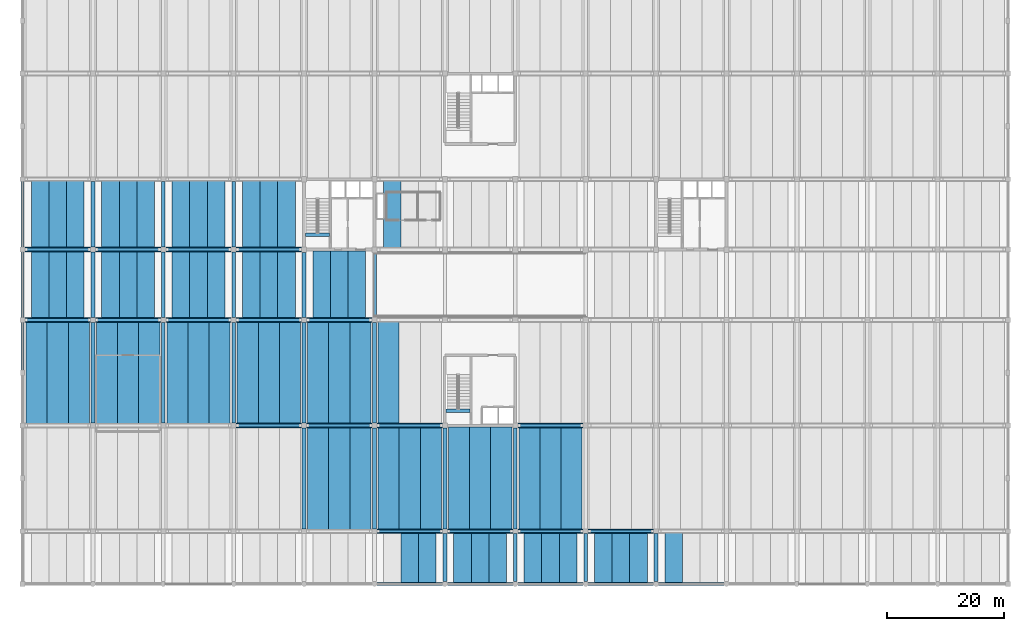
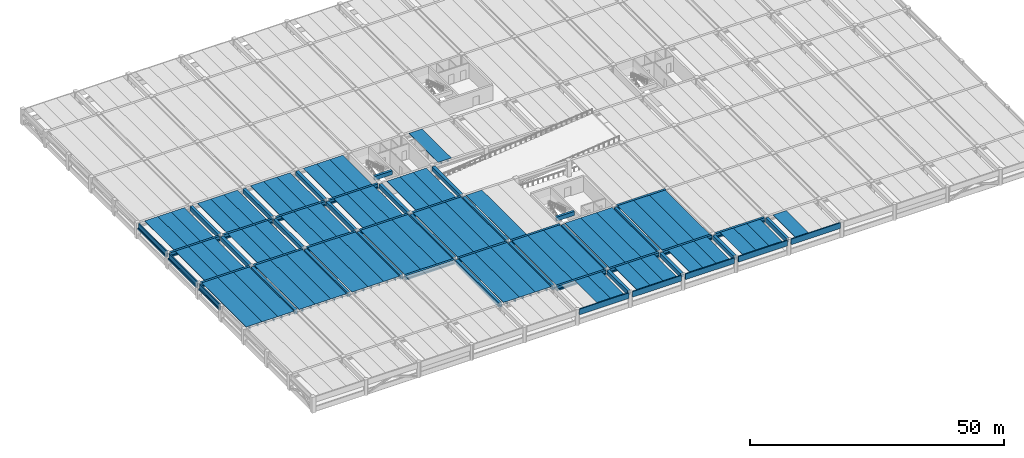
# One storey, part 2 of 19: 116 beams.
"""IFC4 building model written with IfcOpenShell, lengths in metres."""

import ifcopenshell
import ifcopenshell.guid

model = None  # the IFC model being written
_history = None  # IfcOwnerHistory: only IFC2X3 demands one
_inside = {}  # id of a spatial element -> (the spatial element, [elements in it])
_under = {}  # id of a project, library or spatial element -> (it, [spatial elements below it])
_declared = {}  # id of a project -> (the project, [libraries it declares])
_typed = {}  # id of a type object -> (the type object, [elements of that type])
_made_of = {}  # id of a material, layer set ... -> (it, [elements and type objects made of it])


def new_model(schema):
    """Start an empty IFC model of exactly this schema.

    Asked for "IFC4X3", IfcOpenShell would pick the latest addendum, in which some entities
    have other attributes; the version numbers below select the first issue.
    IFC2X3 requires an IfcOwnerHistory on every rooted entity: one is made here for all.
    """
    global model, _history
    if schema == "IFC4X3":
        model = ifcopenshell.file(schema_version=(4, 3, 0, 0))
    else:
        model = ifcopenshell.file(schema=schema)
    _inside.clear()
    _under.clear()
    _declared.clear()
    _typed.clear()
    _made_of.clear()
    _history = None
    if model.schema == "IFC2X3":
        org = make("IfcOrganization", Name="unknown")
        user = make(
            "IfcPersonAndOrganization",
            ThePerson=make("IfcPerson", FamilyName="unknown"),
            TheOrganization=org,
        )
        app = make(
            "IfcApplication",
            ApplicationDeveloper=org,
            Version="unknown",
            ApplicationFullName="unknown",
            ApplicationIdentifier="unknown",
        )
        _history = make(
            "IfcOwnerHistory",
            OwningUser=user,
            OwningApplication=app,
            ChangeAction="ADDED",
            CreationDate=0,
        )
    return model


def make(cls, **values):
    """One entity of the class cls with the attributes given. An attribute that is None is left unset."""
    return model.create_entity(
        cls, **{name: value for name, value in values.items() if value is not None}
    )


def rooted(cls, **values):
    """An entity with a GlobalId (a new one), such as an element, a storey or a relation."""
    return make(cls, GlobalId=ifcopenshell.guid.new(), OwnerHistory=_history, **values)


def si_unit(unit_type, name, prefix=None):
    """IfcSIUnit, for example si_unit("LENGTHUNIT", "METRE", prefix="MILLI")."""
    return make("IfcSIUnit", UnitType=unit_type, Prefix=prefix, Name=name)


def assignment(units):
    """IfcUnitAssignment: the units of a project."""
    return None if units is None else make("IfcUnitAssignment", Units=units)


def point(xyz):
    """IfcCartesianPoint."""
    return None if xyz is None else make("IfcCartesianPoint", Coordinates=xyz)


def direction(xyz):
    """IfcDirection."""
    return None if xyz is None else make("IfcDirection", DirectionRatios=xyz)


def frame(location, z_axis=None, x_axis=None):
    """IfcAxis2Placement3D, a coordinate frame: its origin and axes. An axis left out is left unset."""
    return make(
        "IfcAxis2Placement3D",
        Location=point(location),
        Axis=direction(z_axis),
        RefDirection=direction(x_axis),
    )


def frame_2d(location, x_axis=None):
    """IfcAxis2Placement2D, a coordinate frame in the plane: its origin and x axis."""
    return make(
        "IfcAxis2Placement2D", Location=point(location), RefDirection=direction(x_axis)
    )


def origin():
    """The frame at (0, 0, 0) with its axes left unset."""
    return frame((0.0, 0.0, 0.0))


def origin_2d():
    """The frame at (0, 0) in the plane with its x axis left unset."""
    return frame_2d((0.0, 0.0))


def place(relative_to, where):
    """IfcLocalPlacement: puts the frame where relative to a parent placement (None: the world)."""
    return make(
        "IfcLocalPlacement", PlacementRelTo=relative_to, RelativePlacement=where
    )


def context(
    kind, dimensions, precision=None, world=None, true_north=None, identifier=None
):
    """IfcGeometricRepresentationContext, for example the 3D "Model" context."""
    return make(
        "IfcGeometricRepresentationContext",
        ContextIdentifier=identifier,
        ContextType=kind,
        CoordinateSpaceDimension=dimensions,
        Precision=precision,
        WorldCoordinateSystem=world,
        TrueNorth=true_north,
    )


def subcontext(parent, identifier, kind, view, scale=None):
    """IfcGeometricRepresentationSubContext, for example "Body" below "Model"."""
    return make(
        "IfcGeometricRepresentationSubContext",
        ContextIdentifier=identifier,
        ContextType=kind,
        ParentContext=parent,
        TargetScale=scale,
        TargetView=view,
    )


def project(units=None, contexts=None):
    """IfcProject with its units and contexts."""
    return rooted(
        "IfcProject",
        Name="project",
        RepresentationContexts=contexts,
        UnitsInContext=assignment(units),
    )


def spatial(cls, under=None, at=None, **own):
    """A site, building, storey or space (cls), placed at a placement, below another one or the project."""
    s = rooted(cls, ObjectPlacement=at, **own)
    if under is not None:
        _under.setdefault(under.id(), (under, []))[1].append(s)
    return s


def polyline(points):
    """IfcPolyline through the points."""
    return make("IfcPolyline", Points=[point(p) for p in points])


def profile(cls, at=None, kind="AREA", **sizes):
    """A parametric profile (cls). Its sizes go by their IFC names, for example OverallWidth=200.0."""
    return make(cls, ProfileType=kind, Position=at, **sizes)


def rectangle(**sizes):
    """IfcRectangleProfileDef."""
    return profile("IfcRectangleProfileDef", **sizes)


def outline(outer, holes=None, kind="AREA"):
    """IfcArbitraryClosedProfileDef: a profile drawn as a closed curve; with holes, ...WithVoids."""
    if holes is None:
        return make("IfcArbitraryClosedProfileDef", ProfileType=kind, OuterCurve=outer)
    return make(
        "IfcArbitraryProfileDefWithVoids",
        ProfileType=kind,
        OuterCurve=outer,
        InnerCurves=holes,
    )


def extrude(swept, where, along, depth):
    """IfcExtrudedAreaSolid: the profile swept, set in the frame where, extruded along a direction by depth."""
    return make(
        "IfcExtrudedAreaSolid",
        SweptArea=swept,
        Position=where,
        ExtrudedDirection=direction(along),
        Depth=depth,
    )


def shape(context_of_items, identifier, shape_type, items):
    """IfcShapeRepresentation: the items that make up one representation, for example the "Body"."""
    return make(
        "IfcShapeRepresentation",
        ContextOfItems=context_of_items,
        RepresentationIdentifier=identifier,
        RepresentationType=shape_type,
        Items=items,
    )


def material(Name=None, Category=None):
    """IfcMaterial."""
    return make("IfcMaterial", Name=Name, Category=Category)


def material_profile(
    of_material, cross_section, Name=None, Category=None, Priority=None
):
    """IfcMaterialProfile: a cross section and its material."""
    return make(
        "IfcMaterialProfile",
        Name=Name,
        Material=of_material,
        Profile=cross_section,
        Priority=Priority,
        Category=Category,
    )


def profile_set(profiles, Name=None, composite=None):
    """IfcMaterialProfileSet."""
    return make(
        "IfcMaterialProfileSet",
        Name=Name,
        MaterialProfiles=profiles,
        CompositeProfile=composite,
    )


def made_of(thing, what):
    """Note that an element or type object is made of a material, layer set ...; save() writes the relation."""
    if what is not None:
        _made_of.setdefault(what.id(), (what, []))[1].append(thing)
    return thing


def type_object(cls, material=None, **own):
    """A type object (cls), such as IfcWallType, which elements share."""
    return made_of(rooted(cls, **own), material)


def element(
    cls,
    number,
    at=None,
    inside=None,
    cuts=None,
    type_object=None,
    material=None,
    context=None,
    identifier="Body",
    shape_type=None,
    held_by="IfcProductDefinitionShape",
    body=None,
    shapes=None,
    **own,
):
    """One element of the class cls, such as IfcWall. Its Tag is "e" and its number.

    at: its placement. inside: the storey or other place that contains it. cuts: it is an
    opening in that element (IfcRelVoidsElement). A single representation is given by context,
    identifier, shape_type and body (its items); several are given by shapes. held_by: the class
    of the entity that holds the representations. save() writes the other relations.
    """
    e = rooted(cls, Tag="e%d" % number, ObjectPlacement=at, **own)
    if body is not None:
        shapes = [shape(context, identifier, shape_type, body)]
    if shapes is not None:
        e.Representation = make(held_by, Representations=shapes)
    if inside is not None:
        _inside.setdefault(inside.id(), (inside, []))[1].append(e)
    if cuts is not None:
        rooted(
            "IfcRelVoidsElement", RelatingBuildingElement=cuts, RelatedOpeningElement=e
        )
    if type_object is not None:
        _typed.setdefault(type_object.id(), (type_object, []))[1].append(e)
    return made_of(e, material)


def aggregate(whole, parts):
    """IfcRelAggregates: a whole, such as a stair, and the parts it consists of."""
    return rooted("IfcRelAggregates", RelatingObject=whole, RelatedObjects=parts)


def save(model, path):
    """Write the relations noted so far, then the file.

    IfcRelAggregates (storeys below a building ...), IfcRelContainedInSpatialStructure (elements
    in a storey), IfcRelDefinesByType, IfcRelAssociatesMaterial and IfcRelDeclares: one each for
    every whole, place, type object, material and project.
    """
    for whole, parts in _under.values():
        aggregate(whole, parts)
    for where, things in _inside.values():
        rooted(
            "IfcRelContainedInSpatialStructure",
            RelatedElements=things,
            RelatingStructure=where,
        )
    for kind, things in _typed.values():
        rooted("IfcRelDefinesByType", RelatedObjects=things, RelatingType=kind)
    for what, things in _made_of.values():
        rooted("IfcRelAssociatesMaterial", RelatedObjects=things, RelatingMaterial=what)
    for by, libraries in _declared.values():
        rooted("IfcRelDeclares", RelatingContext=by, RelatedDefinitions=libraries)
    model.write(path)


model = new_model("IFC4")

# Units and contexts
model_context = context("Model", 3, precision=1e-05, world=origin(), true_north=direction((0.0, 1.0)))
body_context = subcontext(model_context, "Body", "Model", "MODEL_VIEW")
ifc_project = project(units=[si_unit("LENGTHUNIT", "METRE"), si_unit("AREAUNIT", "SQUARE_METRE"), si_unit("VOLUMEUNIT", "CUBIC_METRE"), si_unit("PLANEANGLEUNIT", "RADIAN"), si_unit("MASSUNIT", "GRAM", prefix="KILO")], contexts=[model_context])

# Site, building, storey
site_placement = place(None, origin())
site = spatial("IfcSite", under=ifc_project, at=site_placement, CompositionType="ELEMENT")
building_placement = place(site_placement, origin())
building = spatial("IfcBuilding", under=site, at=building_placement, Name="Girod Span Mobility Hub", CompositionType="ELEMENT")
storey_placement = place(building_placement, frame((0.0, 0.0, 9.60009765625)))
storey = spatial("IfcBuildingStorey", under=building, at=storey_placement, Name="L02", CompositionType="ELEMENT", Elevation=9.60009765625)

# Beams
ifc_material_1 = material(Name="Concrete C50/60", Category="concrete")
ifc_material_profile_1 = material_profile(ifc_material_1, outline(polyline([(-1.5, 0.35009765625), (-1.5, 0.2548828125), (-0.840087890625, 0.2548828125), (-0.81494140625, -0.35009765625), (-0.68505859375, -0.35009765625), (-0.659912109375, 0.2548828125), (0.659912109375, 0.2548828125), (0.68505859375, -0.35009765625), (0.81494140625, -0.35009765625), (0.840087890625, 0.2548828125), (1.5, 0.2548828125), (1.5, 0.35009765625), (-1.5, 0.35009765625)])), Name="DT-3000X700")
ifc_profile_set_1 = profile_set([ifc_material_profile_1], Name="Concrete C50/60")
beam_type_1 = type_object("IfcBeamType", Name="BM-DT-3000X700", PredefinedType="JOIST", material=ifc_profile_set_1)
for number, where, z_axis, x_axis, name in (
    (1, (3.0, 45.2470703125, 3.284912109375), (0.0, 1.0, 0.0), (-1.0, 0.0, 0.0), "Double-Tee Deck 1/D-1 L02"),
    (2, (6.0, 45.2470703125, 3.284912109375), (0.0, 1.0, 0.0), (-1.0, 0.0, 0.0), "Double-Tee Deck 1/D-2 L02"),
    (3, (9.0, 45.2470703125, 3.284912109375), (0.0, 1.0, 0.0), (-1.0, 0.0, 0.0), "Double-Tee Deck 1/D-3 L02"),
    (4, (3.0, 57.2470703125, 3.284912109375), (0.0, 1.0, 0.0), (-1.0, 0.0, 0.0), "Double-Tee Deck 1/E-1 L02"),
    (5, (6.0, 57.2470703125, 3.284912109375), (0.0, 1.0, 0.0), (-1.0, 0.0, 0.0), "Double-Tee Deck 1/E-2 L02"),
    (6, (9.0, 57.2470703125, 3.284912109375), (0.0, 1.0, 0.0), (-1.0, 0.0, 0.0), "Double-Tee Deck 1/E-3 L02"),
    (7, (15.0, 45.2470703125, 3.284912109375), (0.0, 1.0, 0.0), (-1.0, 0.0, 0.0), "Double-Tee Deck 2/D-1 L02"),
    (8, (18.0, 45.2470703125, 3.284912109375), (0.0, 1.0, 0.0), (-1.0, 0.0, 0.0), "Double-Tee Deck 2/D-2 L02"),
    (9, (21.0, 45.2470703125, 3.284912109375), (0.0, 1.0, 0.0), (-1.0, 0.0, 0.0), "Double-Tee Deck 2/D-3 L02"),
    (10, (15.0, 57.2470703125, 3.284912109375), (0.0, 1.0, 0.0), (-1.0, 0.0, 0.0), "Double-Tee Deck 2/E-1 L02"),
    (11, (18.0, 57.2470703125, 3.284912109375), (0.0, 1.0, 0.0), (-1.0, 0.0, 0.0), "Double-Tee Deck 2/E-2 L02"),
    (12, (21.0, 57.2470703125, 3.284912109375), (0.0, 1.0, 0.0), (-1.0, 0.0, 0.0), "Double-Tee Deck 2/E-3 L02"),
    (13, (27.0, 45.2470703125, 3.284912109375), (0.0, 1.0, 0.0), (-1.0, 0.0, 0.0), "Double-Tee Deck 3/D-1 L02"),
    (14, (30.0, 45.2470703125, 3.284912109375), (0.0, 1.0, 0.0), (-1.0, 0.0, 0.0), "Double-Tee Deck 3/D-2 L02"),
    (15, (33.0, 45.2470703125, 3.284912109375), (0.0, 1.0, 0.0), (-1.0, 0.0, 0.0), "Double-Tee Deck 3/D-3 L02"),
    (16, (27.0, 57.2470703125, 3.284912109375), (0.0, 1.0, 0.0), (-1.0, 0.0, 0.0), "Double-Tee Deck 3/E-1 L02"),
    (17, (30.0, 57.2470703125, 3.284912109375), (0.0, 1.0, 0.0), (-1.0, 0.0, 0.0), "Double-Tee Deck 3/E-2 L02"),
    (18, (33.0, 57.2470703125, 3.284912109375), (0.0, 1.0, 0.0), (-1.0, 0.0, 0.0), "Double-Tee Deck 3/E-3 L02"),
    (19, (39.0, 45.2470703125, 3.284912109375), (0.0, 1.0, 0.0), (-1.0, 0.0, 0.0), "Double-Tee Deck 4/D-1 L02"),
    (20, (42.0, 45.2470703125, 3.284912109375), (0.0, 1.0, 0.0), (-1.0, 0.0, 0.0), "Double-Tee Deck 4/D-2 L02"),
    (21, (45.0, 45.2470703125, 3.284912109375), (0.0, 1.0, 0.0), (-1.0, 0.0, 0.0), "Double-Tee Deck 4/D-3 L02"),
    (22, (39.0, 57.2470703125, 3.284912109375), (0.0, 1.0, 0.0), (-1.0, 0.0, 0.0), "Double-Tee Deck 4/E-1 L02"),
    (23, (42.0, 57.2470703125, 3.284912109375), (0.0, 1.0, 0.0), (-1.0, 0.0, 0.0), "Double-Tee Deck 4/E-2 L02"),
    (24, (45.0, 57.2470703125, 3.284912109375), (0.0, 1.0, 0.0), (-1.0, 0.0, 0.0), "Double-Tee Deck 4/E-3 L02"),
    (25, (51.0, 45.2470703125, 3.284912109375), (0.0, 1.0, 0.0), (-1.0, 0.0, 0.0), "Double-Tee Deck 5/D-1 L02"),
    (26, (54.0, 45.2470703125, 3.284912109375), (0.0, 1.0, 0.0), (-1.0, 0.0, 0.0), "Double-Tee Deck 5/D-2 L02"),
    (27, (57.0, 45.2470703125, 3.284912109375), (0.0, 1.0, 0.0), (-1.0, 0.0, 0.0), "Double-Tee Deck 5/D-3 L02"),
):
    element("IfcBeam", number, at=place(storey_placement, frame(where, z_axis=z_axis, x_axis=x_axis)), inside=storey, type_object=beam_type_1, Name=name, PredefinedType="JOIST", context=body_context, shape_type="SweptSolid", body=[
        extrude(outline(polyline([(-1.5, 0.35009765625), (-1.5, 0.2548828125), (-0.840087890625, 0.2548828125), (-0.81494140625, -0.35009765625), (-0.68505859375, -0.35009765625), (-0.659912109375, 0.2548828125), (0.659912109375, 0.2548828125), (0.68505859375, -0.35009765625), (0.81494140625, -0.35009765625), (0.840087890625, 0.2548828125), (1.5, 0.2548828125), (1.5, 0.35009765625), (-1.5, 0.35009765625)])), origin(), (0.0, 0.0, 1.0), 11.505859375),
    ])
for number, where, z_axis, x_axis, name in (
    (28, (66.0, 0.02197265625, 3.284912109375), (0.0, 1.0, 0.0), (-1.0, 0.0, 0.0), "Double-Tee Deck 6/A-2 L02"),
    (29, (69.0, 0.02197265625, 3.284912109375), (0.0, 1.0, 0.0), (-1.0, 0.0, 0.0), "Double-Tee Deck 6/A-3 L02"),
):
    element("IfcBeam", number, at=place(storey_placement, frame(where, z_axis=z_axis, x_axis=x_axis)), inside=storey, type_object=beam_type_1, Name=name, PredefinedType="JOIST", context=body_context, shape_type="SweptSolid", body=[
        extrude(outline(polyline([(-1.5, 0.35009765625), (-1.5, 0.2548828125), (-0.840087890625, 0.2548828125), (-0.81494140625, -0.35009765625), (-0.68505859375, -0.35009765625), (-0.659912109375, 0.2548828125), (0.659912109375, 0.2548828125), (0.68505859375, -0.35009765625), (0.81494140625, -0.35009765625), (0.840087890625, 0.2548828125), (1.5, 0.2548828125), (1.5, 0.35009765625), (-1.5, 0.35009765625)])), origin(), (0.0, 0.0, 1.0), 8.73095703125),
    ])
beam_1_placement = place(storey_placement, frame((63.0, 57.2470703125, 3.284912109375), z_axis=(0.0, 1.0, 0.0), x_axis=(-1.0, 0.0, 0.0)))
element("IfcBeam", 30, at=beam_1_placement, inside=storey, type_object=beam_type_1, Name="Double-Tee Deck 6/E-1 L02", PredefinedType="JOIST", context=body_context, shape_type="SweptSolid", body=[
    extrude(outline(polyline([(-1.5, 0.35009765625), (-1.5, 0.2548828125), (-0.840087890625, 0.2548828125), (-0.81494140625, -0.35009765625), (-0.68505859375, -0.35009765625), (-0.659912109375, 0.2548828125), (0.659912109375, 0.2548828125), (0.68505859375, -0.35009765625), (0.81494140625, -0.35009765625), (0.840087890625, 0.2548828125), (1.5, 0.2548828125), (1.5, 0.35009765625), (-1.5, 0.35009765625)])), origin(), (0.0, 0.0, 1.0), 11.505859375),
])
for number, where, z_axis, x_axis, name in (
    (31, (75.0, 0.02197265625, 3.284912109375), (0.0, 1.0, 0.0), (-1.0, 0.0, 0.0), "Double-Tee Deck 7/A-1 L02"),
    (32, (78.0, 0.02197265625, 3.284912109375), (0.0, 1.0, 0.0), (-1.0, 0.0, 0.0), "Double-Tee Deck 7/A-2 L02"),
    (33, (81.0, 0.02197265625, 3.284912109375), (0.0, 1.0, 0.0), (-1.0, 0.0, 0.0), "Double-Tee Deck 7/A-3 L02"),
    (34, (87.0, 0.02197265625, 3.284912109375), (0.0, 1.0, 0.0), (-1.0, 0.0, 0.0), "Double-Tee Deck 8/A-1 L02"),
    (35, (90.0, 0.02197265625, 3.284912109375), (0.0, 1.0, 0.0), (-1.0, 0.0, 0.0), "Double-Tee Deck 8/A-2 L02"),
    (36, (93.0, 0.02197265625, 3.284912109375), (0.0, 1.0, 0.0), (-1.0, 0.0, 0.0), "Double-Tee Deck 8/A-3 L02"),
    (37, (99.0, 0.02197265625, 3.284912109375), (0.0, 1.0, 0.0), (-1.0, 0.0, 0.0), "Double-Tee Deck 9/A-1 L02"),
    (38, (102.0, 0.02197265625, 3.284912109375), (0.0, 1.0, 0.0), (-1.0, 0.0, 0.0), "Double-Tee Deck 9/A-2 L02"),
    (39, (105.0, 0.02197265625, 3.284912109375), (0.0, 1.0, 0.0), (-1.0, 0.0, 0.0), "Double-Tee Deck 9/A-3 L02"),
    (40, (111.0, 0.02197265625, 3.284912109375), (0.0, 1.0, 0.0), (-1.0, 0.0, 0.0), "Double-Tee Deck 10/A-1 L02"),
):
    element("IfcBeam", number, at=place(storey_placement, frame(where, z_axis=z_axis, x_axis=x_axis)), inside=storey, type_object=beam_type_1, Name=name, PredefinedType="JOIST", context=body_context, shape_type="SweptSolid", body=[
        extrude(outline(polyline([(-1.5, 0.35009765625), (-1.5, 0.2548828125), (-0.840087890625, 0.2548828125), (-0.81494140625, -0.35009765625), (-0.68505859375, -0.35009765625), (-0.659912109375, 0.2548828125), (0.659912109375, 0.2548828125), (0.68505859375, -0.35009765625), (0.81494140625, -0.35009765625), (0.840087890625, 0.2548828125), (1.5, 0.2548828125), (1.5, 0.35009765625), (-1.5, 0.35009765625)])), origin(), (0.0, 0.0, 1.0), 8.73095703125),
    ])
ifc_material_2 = material(Name="Concrete C50/60", Category="concrete")
ifc_material_profile_2 = material_profile(ifc_material_2, outline(polyline([(-1.800048828125, 0.425048828125), (-1.800048828125, 0.324951171875), (-1.0, 0.324951171875), (-0.969970703125, -0.425048828125), (-0.830078125, -0.425048828125), (-0.800048828125, 0.324951171875), (0.800048828125, 0.324951171875), (0.830078125, -0.425048828125), (0.969970703125, -0.425048828125), (1.0, 0.324951171875), (1.800048828125, 0.324951171875), (1.800048828125, 0.425048828125), (-1.800048828125, 0.425048828125)])), Name="DT-3600X850")
ifc_profile_set_2 = profile_set([ifc_material_profile_2], Name="Concrete C50/60")
beam_type_2 = type_object("IfcBeamType", Name="BM-DT-3600X850", PredefinedType="JOIST", material=ifc_profile_set_2)
for number, where, z_axis, x_axis, name in (
    (41, (2.39990234375, 27.2470703125, 3.2099609375), (0.0, 1.0, 0.0), (-1.0, 0.0, 0.0), "Double-Tee Deck 1/C-1 L02"),
    (42, (6.0, 27.2470703125, 3.2099609375), (0.0, 1.0, 0.0), (-1.0, 0.0, 0.0), "Double-Tee Deck 1/C-2 L02"),
    (43, (9.60009765625, 27.2470703125, 3.2099609375), (0.0, 1.0, 0.0), (-1.0, 0.0, 0.0), "Double-Tee Deck 1/C-3 L02"),
    (44, (14.39990234375, 27.2470703125, 3.2099609375), (0.0, 1.0, 0.0), (-1.0, 0.0, 0.0), "Double-Tee Deck 2/C-1 L02"),
    (45, (18.0, 27.2470703125, 3.2099609375), (0.0, 1.0, 0.0), (-1.0, 0.0, 0.0), "Double-Tee Deck 2/C-2 L02"),
    (46, (21.60009765625, 27.2470703125, 3.2099609375), (0.0, 1.0, 0.0), (-1.0, 0.0, 0.0), "Double-Tee Deck 2/C-3 L02"),
    (47, (26.39990234375, 27.2470703125, 3.2099609375), (0.0, 1.0, 0.0), (-1.0, 0.0, 0.0), "Double-Tee Deck 3/C-1 L02"),
    (48, (30.0, 27.2470703125, 3.2099609375), (0.0, 1.0, 0.0), (-1.0, 0.0, 0.0), "Double-Tee Deck 3/C-2 L02"),
    (49, (33.60009765625, 27.2470703125, 3.2099609375), (0.0, 1.0, 0.0), (-1.0, 0.0, 0.0), "Double-Tee Deck 3/C-3 L02"),
    (50, (38.39990234375, 27.2470703125, 3.2099609375), (0.0, 1.0, 0.0), (-1.0, 0.0, 0.0), "Double-Tee Deck 4/C-1 L02"),
    (51, (42.0, 27.2470703125, 3.2099609375), (0.0, 1.0, 0.0), (-1.0, 0.0, 0.0), "Double-Tee Deck 4/C-2 L02"),
    (52, (45.60009765625, 27.2470703125, 3.2099609375), (0.0, 1.0, 0.0), (-1.0, 0.0, 0.0), "Double-Tee Deck 4/C-3 L02"),
    (53, (50.39990234375, 9.2470703125, 3.2099609375), (0.0, 1.0, 0.0), (-1.0, 0.0, 0.0), "Double-Tee Deck 5/B-1 L02"),
    (54, (54.0, 9.2470703125, 3.2099609375), (0.0, 1.0, 0.0), (-1.0, 0.0, 0.0), "Double-Tee Deck 5/B-2 L02"),
    (55, (57.60009765625, 9.2470703125, 3.2099609375), (0.0, 1.0, 0.0), (-1.0, 0.0, 0.0), "Double-Tee Deck 5/B-3 L02"),
    (56, (50.39990234375, 27.2470703125, 3.2099609375), (0.0, 1.0, 0.0), (-1.0, 0.0, 0.0), "Double-Tee Deck 5/C-1 L02"),
    (57, (54.0, 27.2470703125, 3.2099609375), (0.0, 1.0, 0.0), (-1.0, 0.0, 0.0), "Double-Tee Deck 5/C-2 L02"),
    (58, (57.60009765625, 27.2470703125, 3.2099609375), (0.0, 1.0, 0.0), (-1.0, 0.0, 0.0), "Double-Tee Deck 5/C-3 L02"),
    (59, (62.39990234375, 9.2470703125, 3.2099609375), (0.0, 1.0, 0.0), (-1.0, 0.0, 0.0), "Double-Tee Deck 6/B-1 L02"),
    (60, (66.0, 9.2470703125, 3.2099609375), (0.0, 1.0, 0.0), (-1.0, 0.0, 0.0), "Double-Tee Deck 6/B-2 L02"),
    (61, (69.60009765625, 9.2470703125, 3.2099609375), (0.0, 1.0, 0.0), (-1.0, 0.0, 0.0), "Double-Tee Deck 6/B-3 L02"),
    (62, (62.39990234375, 27.2470703125, 3.2099609375), (0.0, 1.0, 0.0), (-1.0, 0.0, 0.0), "Double-Tee Deck 6/C-1 L02"),
):
    element("IfcBeam", number, at=place(storey_placement, frame(where, z_axis=z_axis, x_axis=x_axis)), inside=storey, type_object=beam_type_2, Name=name, PredefinedType="JOIST", context=body_context, shape_type="SweptSolid", body=[
        extrude(outline(polyline([(-1.800048828125, 0.425048828125), (-1.800048828125, 0.324951171875), (-1.0, 0.324951171875), (-0.969970703125, -0.425048828125), (-0.830078125, -0.425048828125), (-0.800048828125, 0.324951171875), (0.800048828125, 0.324951171875), (0.830078125, -0.425048828125), (0.969970703125, -0.425048828125), (1.0, 0.324951171875), (1.800048828125, 0.324951171875), (1.800048828125, 0.425048828125), (-1.800048828125, 0.425048828125)])), origin(), (0.0, 0.0, 1.0), 17.505859375),
    ])
for number, where, z_axis, x_axis, name in (
    (63, (74.39990234375, 9.2470703125, 3.2099609375), (0.0, 1.0, 0.0), (-1.0, 0.0, 0.0), "Double-Tee Deck 7/B-1 L02"),
    (64, (78.0, 9.2470703125, 3.2099609375), (0.0, 1.0, 0.0), (-1.0, 0.0, 0.0), "Double-Tee Deck 7/B-2 L02"),
    (65, (81.60009765625, 9.2470703125, 3.2099609375), (0.0, 1.0, 0.0), (-1.0, 0.0, 0.0), "Double-Tee Deck 7/B-3 L02"),
):
    element("IfcBeam", number, at=place(storey_placement, frame(where, z_axis=z_axis, x_axis=x_axis)), inside=storey, type_object=beam_type_2, Name=name, PredefinedType="JOIST", context=body_context, shape_type="SweptSolid", body=[
        extrude(outline(polyline([(-1.800048828125, 0.425048828125), (-1.800048828125, 0.324951171875), (-1.0, 0.324951171875), (-0.969970703125, -0.425048828125), (-0.830078125, -0.425048828125), (-0.800048828125, 0.324951171875), (0.800048828125, 0.324951171875), (0.830078125, -0.425048828125), (0.969970703125, -0.425048828125), (1.0, 0.324951171875), (1.800048828125, 0.324951171875), (1.800048828125, 0.425048828125), (-1.800048828125, 0.425048828125)])), origin(), (0.0, 0.0, 1.0), 17.531005859375),
    ])
for number, where, z_axis, x_axis, name in (
    (66, (86.39990234375, 9.2470703125, 3.2099609375), (0.0, 1.0, 0.0), (-1.0, 0.0, 0.0), "Double-Tee Deck 8/B-1 L02"),
    (67, (90.0, 9.2470703125, 3.2099609375), (0.0, 1.0, 0.0), (-1.0, 0.0, 0.0), "Double-Tee Deck 8/B-2 L02"),
    (68, (93.60009765625, 9.2470703125, 3.2099609375), (0.0, 1.0, 0.0), (-1.0, 0.0, 0.0), "Double-Tee Deck 8/B-3 L02"),
):
    element("IfcBeam", number, at=place(storey_placement, frame(where, z_axis=z_axis, x_axis=x_axis)), inside=storey, type_object=beam_type_2, Name=name, PredefinedType="JOIST", context=body_context, shape_type="SweptSolid", body=[
        extrude(outline(polyline([(-1.800048828125, 0.425048828125), (-1.800048828125, 0.324951171875), (-1.0, 0.324951171875), (-0.969970703125, -0.425048828125), (-0.830078125, -0.425048828125), (-0.800048828125, 0.324951171875), (0.800048828125, 0.324951171875), (0.830078125, -0.425048828125), (0.969970703125, -0.425048828125), (1.0, 0.324951171875), (1.800048828125, 0.324951171875), (1.800048828125, 0.425048828125), (-1.800048828125, 0.425048828125)])), origin(), (0.0, 0.0, 1.0), 17.505859375),
    ])
ifc_material_3 = material(Name="Concrete C50/60", Category="concrete")
ifc_material_profile_3 = material_profile(ifc_material_3, outline(polyline([(-0.425048828125, -0.47509765625), (0.425048828125, -0.47509765625), (0.425048828125, -0.155029296875), (0.25, -0.155029296875), (0.25, 0.47509765625), (-0.25, 0.47509765625), (-0.25, -0.155029296875), (-0.425048828125, -0.155029296875), (-0.425048828125, -0.47509765625)])), Name="IT-850X950")
ifc_profile_set_3 = profile_set([ifc_material_profile_3], Name="Concrete C50/60")
beam_type_3 = type_object("IfcBeamType", Name="BM-IT-850X950", PredefinedType="T_BEAM", material=ifc_profile_set_3)
for number, where, z_axis, x_axis, name in (
    (69, (60.422119140625, 9.0, 3.159912109375), (1.0, 0.0, 0.0), (0.0, 1.0, 0.0), "Girder 6-7/B L02"),
    (70, (72.422119140625, 9.0, 3.159912109375), (1.0, 0.0, 0.0), (0.0, 1.0, 0.0), "Girder 7-8/B L02"),
    (71, (84.422119140625, 9.0, 3.159912109375), (1.0, 0.0, 0.0), (0.0, 1.0, 0.0), "Girder 8-9/B L02"),
    (72, (96.422119140625, 9.0, 3.159912109375), (1.0, 0.0, 0.0), (0.0, 1.0, 0.0), "Girder 9-10/B L02"),
    (73, (36.422119140625, 27.0, 3.159912109375), (1.0, 0.0, 0.0), (0.0, 1.0, 0.0), "Girder 4-5/C L02"),
    (74, (48.422119140625, 27.0, 3.159912109375), (1.0, 0.0, 0.0), (0.0, 1.0, 0.0), "Girder 5-6/C L02"),
    (75, (60.422119140625, 27.0, 3.159912109375), (1.0, 0.0, 0.0), (0.0, 1.0, 0.0), "Girder 6-7/C L02"),
    (76, (84.422119140625, 27.0, 3.159912109375), (1.0, 0.0, 0.0), (0.0, 1.0, 0.0), "Girder 8-9/C L02"),
    (77, (0.422119140625, 45.0, 3.159912109375), (1.0, 0.0, 0.0), (0.0, 1.0, 0.0), "Girder 1-2/D L02"),
    (78, (12.422119140625, 45.0, 3.159912109375), (1.0, 0.0, 0.0), (0.0, 1.0, 0.0), "Girder 2-3/D L02"),
    (79, (24.422119140625, 45.0, 3.159912109375), (1.0, 0.0, 0.0), (0.0, 1.0, 0.0), "Girder 3-4/D L02"),
):
    element("IfcBeam", number, at=place(storey_placement, frame(where, z_axis=z_axis, x_axis=x_axis)), inside=storey, type_object=beam_type_3, Name=name, PredefinedType="T_BEAM", context=body_context, shape_type="SweptSolid", body=[
        extrude(outline(polyline([(-0.425048828125, -0.47509765625), (0.425048828125, -0.47509765625), (0.425048828125, -0.155029296875), (0.25, -0.155029296875), (0.25, 0.47509765625), (-0.25, 0.47509765625), (-0.25, -0.155029296875), (-0.425048828125, -0.155029296875), (-0.425048828125, -0.47509765625)])), origin(), (0.0, 0.0, 1.0), 11.15576171875),
    ])
beam_2_placement = place(storey_placement, frame((36.422119140625, 45.0, 3.159912109375), z_axis=(1.0, 0.0, 0.0), x_axis=(0.0, 1.0, 0.0)))
element("IfcBeam", 80, at=beam_2_placement, inside=storey, type_object=beam_type_3, Name="Girder 4-5/D L02", PredefinedType="T_BEAM", context=body_context, shape_type="SweptSolid", body=[
    extrude(outline(polyline([(-0.425048828125, -0.47509765625), (0.425048828125, -0.47509765625), (0.425048828125, -0.155029296875), (0.25, -0.155029296875), (0.25, 0.47509765625), (-0.25, 0.47509765625), (-0.25, -0.155029296875), (-0.425048828125, -0.155029296875), (-0.425048828125, -0.47509765625)])), origin(), (0.0, 0.0, 1.0), 11.130859375),
])
beam_3_placement = place(storey_placement, frame((48.447021484375, 45.0, 3.159912109375), z_axis=(1.0, 0.0, 0.0), x_axis=(0.0, 1.0, 0.0)))
element("IfcBeam", 81, at=beam_3_placement, inside=storey, type_object=beam_type_3, Name="Girder 5-6/D L02", PredefinedType="T_BEAM", context=body_context, shape_type="SweptSolid", body=[
    extrude(outline(polyline([(-0.425048828125, -0.47509765625), (0.425048828125, -0.47509765625), (0.425048828125, -0.155029296875), (0.25, -0.155029296875), (0.25, 0.47509765625), (-0.25, 0.47509765625), (-0.25, -0.155029296875), (-0.425048828125, -0.155029296875), (-0.425048828125, -0.47509765625)])), origin(), (0.0, 0.0, 1.0), 11.10595703125),
])
for number, where, z_axis, x_axis, name in (
    (82, (0.422119140625, 57.0, 3.159912109375), (1.0, 0.0, 0.0), (0.0, 1.0, 0.0), "Girder 1-2/E L02"),
    (83, (12.422119140625, 57.0, 3.159912109375), (1.0, 0.0, 0.0), (0.0, 1.0, 0.0), "Girder 2-3/E L02"),
    (84, (24.422119140625, 57.0, 3.159912109375), (1.0, 0.0, 0.0), (0.0, 1.0, 0.0), "Girder 3-4/E L02"),
):
    element("IfcBeam", number, at=place(storey_placement, frame(where, z_axis=z_axis, x_axis=x_axis)), inside=storey, type_object=beam_type_3, Name=name, PredefinedType="T_BEAM", context=body_context, shape_type="SweptSolid", body=[
        extrude(outline(polyline([(-0.425048828125, -0.47509765625), (0.425048828125, -0.47509765625), (0.425048828125, -0.155029296875), (0.25, -0.155029296875), (0.25, 0.47509765625), (-0.25, 0.47509765625), (-0.25, -0.155029296875), (-0.425048828125, -0.155029296875), (-0.425048828125, -0.47509765625)])), origin(), (0.0, 0.0, 1.0), 11.15576171875),
    ])
beam_4_placement = place(storey_placement, frame((36.422119140625, 57.0, 3.159912109375), z_axis=(1.0, 0.0, 0.0), x_axis=(0.0, 1.0, 0.0)))
element("IfcBeam", 85, at=beam_4_placement, inside=storey, type_object=beam_type_3, Name="Girder 4-5/E L02", PredefinedType="T_BEAM", context=body_context, shape_type="SweptSolid", body=[
    extrude(outline(polyline([(-0.425048828125, -0.47509765625), (0.425048828125, -0.47509765625), (0.425048828125, -0.155029296875), (0.25, -0.155029296875), (0.25, 0.47509765625), (-0.25, 0.47509765625), (-0.25, -0.155029296875), (-0.425048828125, -0.155029296875), (-0.425048828125, -0.47509765625)])), origin(), (0.0, 0.0, 1.0), 11.130859375),
])
ifc_material_4 = material(Name="Concrete C40/50", Category="concrete")
ifc_material_profile_4 = material_profile(ifc_material_4, rectangle(XDim=0.550048828125, YDim=0.949951171875, at=origin_2d()), Name="RK-550X950")
ifc_profile_set_4 = profile_set([ifc_material_profile_4], Name="Concrete C40/50")
beam_type_4 = type_object("IfcBeamType", Name="BM-RK-550X950", PredefinedType="BEAM", material=ifc_profile_set_4)
beam_5_placement = place(storey_placement, frame((48.2470703125, 59.550048828125, 3.159912109375), z_axis=(1.0, 0.0, 0.0), x_axis=(0.0, 1.0, 0.0)))
element("IfcBeam", 86, at=beam_5_placement, inside=storey, type_object=beam_type_4, Name="Stair ST-1 Landing Header Beam L02", PredefinedType="BEAM", context=body_context, shape_type="SweptSolid", body=[
    extrude(rectangle(XDim=0.550048828125, YDim=0.949951171875, at=origin_2d()), origin(), (0.0, 0.0, 1.0), 4.055908203125),
])
beam_6_placement = place(storey_placement, frame((72.221923828125, 29.550048828125, 3.159912109375), z_axis=(1.0, 0.0, 0.0), x_axis=(0.0, 1.0, 0.0)))
element("IfcBeam", 87, at=beam_6_placement, inside=storey, type_object=beam_type_4, Name="Stair ST-3 Landing Header Beam L02", PredefinedType="BEAM", context=body_context, shape_type="SweptSolid", body=[
    extrude(rectangle(XDim=0.550048828125, YDim=0.949951171875, at=origin_2d()), origin(), (0.0, 0.0, 1.0), 4.0810546875),
])
ifc_material_5 = material(Name="Concrete C40/50", Category="concrete")
ifc_material_profile_5 = material_profile(ifc_material_5, outline(polyline([(-0.22509765625, -0.675048828125), (0.22509765625, -0.675048828125), (0.22509765625, -0.324951171875), (0.02490234375, -0.324951171875), (0.02490234375, 0.675048828125), (-0.22509765625, 0.675048828125), (-0.22509765625, -0.675048828125)])), Name="SP-450X1350")
ifc_profile_set_5 = profile_set([ifc_material_profile_5], Name="Concrete C40/50")
beam_type_5 = type_object("IfcBeamType", Name="BM-SP-450X1350", PredefinedType="SPANDREL", material=ifc_profile_set_5)
for number, where, z_axis, x_axis, name in (
    (88, (60.422119140625, 0.0, 2.9599609375), (1.0, 0.0, 0.0), (0.0, 1.0, 0.0), "Girder 6-7/A L02"),
    (89, (72.422119140625, 0.0, 2.9599609375), (1.0, 0.0, 0.0), (0.0, 1.0, 0.0), "Girder 7-8/A L02"),
    (90, (84.422119140625, 0.0, 2.9599609375), (1.0, 0.0, 0.0), (0.0, 1.0, 0.0), "Girder 8-9/A L02"),
    (91, (96.422119140625, 0.0, 2.9599609375), (1.0, 0.0, 0.0), (0.0, 1.0, 0.0), "Girder 9-10/A L02"),
    (92, (108.422119140625, 0.0, 2.9599609375), (1.0, 0.0, 0.0), (0.0, 1.0, 0.0), "Girder 10-11/A L02"),
):
    element("IfcBeam", number, at=place(storey_placement, frame(where, z_axis=z_axis, x_axis=x_axis)), inside=storey, type_object=beam_type_5, Name=name, PredefinedType="SPANDREL", context=body_context, shape_type="SweptSolid", body=[
        extrude(outline(polyline([(-0.22509765625, -0.675048828125), (0.22509765625, -0.675048828125), (0.22509765625, -0.324951171875), (0.02490234375, -0.324951171875), (0.02490234375, 0.675048828125), (-0.22509765625, 0.675048828125), (-0.22509765625, -0.675048828125)])), origin(), (0.0, 0.0, 1.0), 11.15576171875),
    ])
beam_7_placement = place(storey_placement, frame((0.0, 36.471923828125, 2.9599609375), z_axis=(0.0, 1.0, 0.0), x_axis=(-1.0, 0.0, 0.0)))
element("IfcBeam", 93, at=beam_7_placement, inside=storey, type_object=beam_type_5, Name="Perimeter Spandrel 1/C-N L02", PredefinedType="SPANDREL", context=body_context, shape_type="SweptSolid", body=[
    extrude(outline(polyline([(-0.22509765625, -0.675048828125), (0.22509765625, -0.675048828125), (0.22509765625, -0.324951171875), (0.02490234375, -0.324951171875), (0.02490234375, 0.675048828125), (-0.22509765625, 0.675048828125), (-0.22509765625, -0.675048828125)])), origin(), (0.0, 0.0, 1.0), 8.10595703125),
])
for number, where, z_axis, x_axis, name in (
    (94, (0.0, 45.422119140625, 2.9599609375), (0.0, 1.0, 0.0), (-1.0, 0.0, 0.0), "Tie Girder 1/D-E L02"),
    (95, (0.0, 57.422119140625, 2.9599609375), (0.0, 1.0, 0.0), (-1.0, 0.0, 0.0), "Tie Girder 1/E-F L02"),
):
    element("IfcBeam", number, at=place(storey_placement, frame(where, z_axis=z_axis, x_axis=x_axis)), inside=storey, type_object=beam_type_5, Name=name, PredefinedType="SPANDREL", context=body_context, shape_type="SweptSolid", body=[
        extrude(outline(polyline([(-0.22509765625, -0.675048828125), (0.22509765625, -0.675048828125), (0.22509765625, -0.324951171875), (0.02490234375, -0.324951171875), (0.02490234375, 0.675048828125), (-0.22509765625, 0.675048828125), (-0.22509765625, -0.675048828125)])), origin(), (0.0, 0.0, 1.0), 11.15576171875),
    ])
ifc_material_6 = material(Name="Concrete C40/50", Category="concrete")
ifc_material_profile_6 = material_profile(ifc_material_6, rectangle(XDim=0.64990234375, YDim=1.0, at=origin_2d()), Name="TG-650X1000")
ifc_profile_set_6 = profile_set([ifc_material_profile_6], Name="Concrete C40/50")
beam_type_6 = type_object("IfcBeamType", Name="BM-TG-650X1000", PredefinedType="T_BEAM", material=ifc_profile_set_6)
beam_8_placement = place(storey_placement, frame((12.0, 27.422119140625, 3.135009765625), z_axis=(0.0, 1.0, 0.0), x_axis=(-1.0, 0.0, 0.0)))
element("IfcBeam", 96, at=beam_8_placement, inside=storey, type_object=beam_type_6, Name="Tie Girder 2/C-D L02", PredefinedType="T_BEAM", context=body_context, shape_type="SweptSolid", body=[
    extrude(rectangle(XDim=0.64990234375, YDim=1.0, at=origin_2d()), origin(), (0.0, 0.0, 1.0), 17.15576171875),
])
for number, where, z_axis, x_axis, name in (
    (97, (12.0, 45.422119140625, 3.135009765625), (0.0, 1.0, 0.0), (-1.0, 0.0, 0.0), "Tie Girder 2/D-E L02"),
    (98, (12.0, 57.422119140625, 3.135009765625), (0.0, 1.0, 0.0), (-1.0, 0.0, 0.0), "Tie Girder 2/E-F L02"),
):
    element("IfcBeam", number, at=place(storey_placement, frame(where, z_axis=z_axis, x_axis=x_axis)), inside=storey, type_object=beam_type_6, Name=name, PredefinedType="T_BEAM", context=body_context, shape_type="SweptSolid", body=[
        extrude(rectangle(XDim=0.64990234375, YDim=1.0, at=origin_2d()), origin(), (0.0, 0.0, 1.0), 11.15576171875),
    ])
beam_9_placement = place(storey_placement, frame((24.0, 27.422119140625, 3.135009765625), z_axis=(0.0, 1.0, 0.0), x_axis=(-1.0, 0.0, 0.0)))
element("IfcBeam", 99, at=beam_9_placement, inside=storey, type_object=beam_type_6, Name="Tie Girder 3/C-D L02", PredefinedType="T_BEAM", context=body_context, shape_type="SweptSolid", body=[
    extrude(rectangle(XDim=0.64990234375, YDim=1.0, at=origin_2d()), origin(), (0.0, 0.0, 1.0), 17.15576171875),
])
for number, where, z_axis, x_axis, name in (
    (100, (24.0, 45.422119140625, 3.135009765625), (0.0, 1.0, 0.0), (-1.0, 0.0, 0.0), "Tie Girder 3/D-E L02"),
    (101, (24.0, 57.422119140625, 3.135009765625), (0.0, 1.0, 0.0), (-1.0, 0.0, 0.0), "Tie Girder 3/E-F L02"),
):
    element("IfcBeam", number, at=place(storey_placement, frame(where, z_axis=z_axis, x_axis=x_axis)), inside=storey, type_object=beam_type_6, Name=name, PredefinedType="T_BEAM", context=body_context, shape_type="SweptSolid", body=[
        extrude(rectangle(XDim=0.64990234375, YDim=1.0, at=origin_2d()), origin(), (0.0, 0.0, 1.0), 11.15576171875),
    ])
beam_10_placement = place(storey_placement, frame((36.0, 27.422119140625, 3.135009765625), z_axis=(0.0, 1.0, 0.0), x_axis=(-1.0, 0.0, 0.0)))
element("IfcBeam", 102, at=beam_10_placement, inside=storey, type_object=beam_type_6, Name="Tie Girder 4/C-D L02", PredefinedType="T_BEAM", context=body_context, shape_type="SweptSolid", body=[
    extrude(rectangle(XDim=0.64990234375, YDim=1.0, at=origin_2d()), origin(), (0.0, 0.0, 1.0), 17.15576171875),
])
for number, where, z_axis, x_axis, name in (
    (103, (36.0, 45.422119140625, 3.135009765625), (0.0, 1.0, 0.0), (-1.0, 0.0, 0.0), "Tie Girder 4/D-E L02"),
    (104, (36.0, 57.422119140625, 3.135009765625), (0.0, 1.0, 0.0), (-1.0, 0.0, 0.0), "Tie Girder 4/E-F L02"),
):
    element("IfcBeam", number, at=place(storey_placement, frame(where, z_axis=z_axis, x_axis=x_axis)), inside=storey, type_object=beam_type_6, Name=name, PredefinedType="T_BEAM", context=body_context, shape_type="SweptSolid", body=[
        extrude(rectangle(XDim=0.64990234375, YDim=1.0, at=origin_2d()), origin(), (0.0, 0.0, 1.0), 11.15576171875),
    ])
beam_11_placement = place(storey_placement, frame((48.0, 9.422119140625, 3.135009765625), z_axis=(0.0, 1.0, 0.0), x_axis=(-1.0, 0.0, 0.0)))
element("IfcBeam", 105, at=beam_11_placement, inside=storey, type_object=beam_type_6, Name="Tie Girder 5/B-C L02", PredefinedType="T_BEAM", context=body_context, shape_type="SweptSolid", body=[
    extrude(rectangle(XDim=0.64990234375, YDim=1.0, at=origin_2d()), origin(), (0.0, 0.0, 1.0), 17.15576171875),
])
beam_12_placement = place(storey_placement, frame((48.0, 27.422119140625, 3.135009765625), z_axis=(0.0, 1.0, 0.0), x_axis=(-1.0, 0.0, 0.0)))
element("IfcBeam", 106, at=beam_12_placement, inside=storey, type_object=beam_type_6, Name="Tie Girder 5/C-D L02", PredefinedType="T_BEAM", context=body_context, shape_type="SweptSolid", body=[
    extrude(rectangle(XDim=0.64990234375, YDim=1.0, at=origin_2d()), origin(), (0.0, 0.0, 1.0), 17.130859375),
])
beam_13_placement = place(storey_placement, frame((48.0, 45.447021484375, 3.135009765625), z_axis=(0.0, 1.0, 0.0), x_axis=(-1.0, 0.0, 0.0)))
element("IfcBeam", 107, at=beam_13_placement, inside=storey, type_object=beam_type_6, Name="Tie Girder 5/D-E L02", PredefinedType="T_BEAM", context=body_context, shape_type="SweptSolid", body=[
    extrude(rectangle(XDim=0.64990234375, YDim=1.0, at=origin_2d()), origin(), (0.0, 0.0, 1.0), 11.10595703125),
])
beam_14_placement = place(storey_placement, frame((60.0, 9.422119140625, 3.135009765625), z_axis=(0.0, 1.0, 0.0), x_axis=(-1.0, 0.0, 0.0)))
element("IfcBeam", 108, at=beam_14_placement, inside=storey, type_object=beam_type_6, Name="Tie Girder 6/B-C L02", PredefinedType="T_BEAM", context=body_context, shape_type="SweptSolid", body=[
    extrude(rectangle(XDim=0.64990234375, YDim=1.0, at=origin_2d()), origin(), (0.0, 0.0, 1.0), 17.15576171875),
])
beam_15_placement = place(storey_placement, frame((60.0, 27.422119140625, 3.135009765625), z_axis=(0.0, 1.0, 0.0), x_axis=(-1.0, 0.0, 0.0)))
element("IfcBeam", 109, at=beam_15_placement, inside=storey, type_object=beam_type_6, Name="Tie Girder 6/C-D L02", PredefinedType="T_BEAM", context=body_context, shape_type="SweptSolid", body=[
    extrude(rectangle(XDim=0.64990234375, YDim=1.0, at=origin_2d()), origin(), (0.0, 0.0, 1.0), 17.130859375),
])
beam_16_placement = place(storey_placement, frame((60.0, 45.447021484375, 3.135009765625), z_axis=(0.0, 1.0, 0.0), x_axis=(-1.0, 0.0, 0.0)))
element("IfcBeam", 110, at=beam_16_placement, inside=storey, type_object=beam_type_6, Name="Tie Girder 6/D-E L02", PredefinedType="T_BEAM", context=body_context, shape_type="SweptSolid", body=[
    extrude(rectangle(XDim=0.64990234375, YDim=1.0, at=origin_2d()), origin(), (0.0, 0.0, 1.0), 11.10595703125),
])
beam_17_placement = place(storey_placement, frame((72.0, 0.422119140625, 3.135009765625), z_axis=(0.0, 1.0, 0.0), x_axis=(-1.0, 0.0, 0.0)))
element("IfcBeam", 111, at=beam_17_placement, inside=storey, type_object=beam_type_6, Name="Tie Girder 7/A-B L02", PredefinedType="T_BEAM", context=body_context, shape_type="SweptSolid", body=[
    extrude(rectangle(XDim=0.64990234375, YDim=1.0, at=origin_2d()), origin(), (0.0, 0.0, 1.0), 8.15576171875),
])
beam_18_placement = place(storey_placement, frame((72.0, 9.422119140625, 3.135009765625), z_axis=(0.0, 1.0, 0.0), x_axis=(-1.0, 0.0, 0.0)))
element("IfcBeam", 112, at=beam_18_placement, inside=storey, type_object=beam_type_6, Name="Tie Girder 7/B-C L02", PredefinedType="T_BEAM", context=body_context, shape_type="SweptSolid", body=[
    extrude(rectangle(XDim=0.64990234375, YDim=1.0, at=origin_2d()), origin(), (0.0, 0.0, 1.0), 17.15576171875),
])
beam_19_placement = place(storey_placement, frame((84.0, 0.422119140625, 3.135009765625), z_axis=(0.0, 1.0, 0.0), x_axis=(-1.0, 0.0, 0.0)))
element("IfcBeam", 113, at=beam_19_placement, inside=storey, type_object=beam_type_6, Name="Tie Girder 8/A-B L02", PredefinedType="T_BEAM", context=body_context, shape_type="SweptSolid", body=[
    extrude(rectangle(XDim=0.64990234375, YDim=1.0, at=origin_2d()), origin(), (0.0, 0.0, 1.0), 8.15576171875),
])
beam_20_placement = place(storey_placement, frame((84.0, 9.422119140625, 3.135009765625), z_axis=(0.0, 1.0, 0.0), x_axis=(-1.0, 0.0, 0.0)))
element("IfcBeam", 114, at=beam_20_placement, inside=storey, type_object=beam_type_6, Name="Tie Girder 8/B-C L02", PredefinedType="T_BEAM", context=body_context, shape_type="SweptSolid", body=[
    extrude(rectangle(XDim=0.64990234375, YDim=1.0, at=origin_2d()), origin(), (0.0, 0.0, 1.0), 17.15576171875),
])
for number, where, z_axis, x_axis, name in (
    (115, (96.0, 0.422119140625, 3.135009765625), (0.0, 1.0, 0.0), (-1.0, 0.0, 0.0), "Tie Girder 9/A-B L02"),
    (116, (108.0, 0.422119140625, 3.135009765625), (0.0, 1.0, 0.0), (-1.0, 0.0, 0.0), "Tie Girder 10/A-B L02"),
):
    element("IfcBeam", number, at=place(storey_placement, frame(where, z_axis=z_axis, x_axis=x_axis)), inside=storey, type_object=beam_type_6, Name=name, PredefinedType="T_BEAM", context=body_context, shape_type="SweptSolid", body=[
        extrude(rectangle(XDim=0.64990234375, YDim=1.0, at=origin_2d()), origin(), (0.0, 0.0, 1.0), 8.15576171875),
    ])

save(model, "model.ifc")
